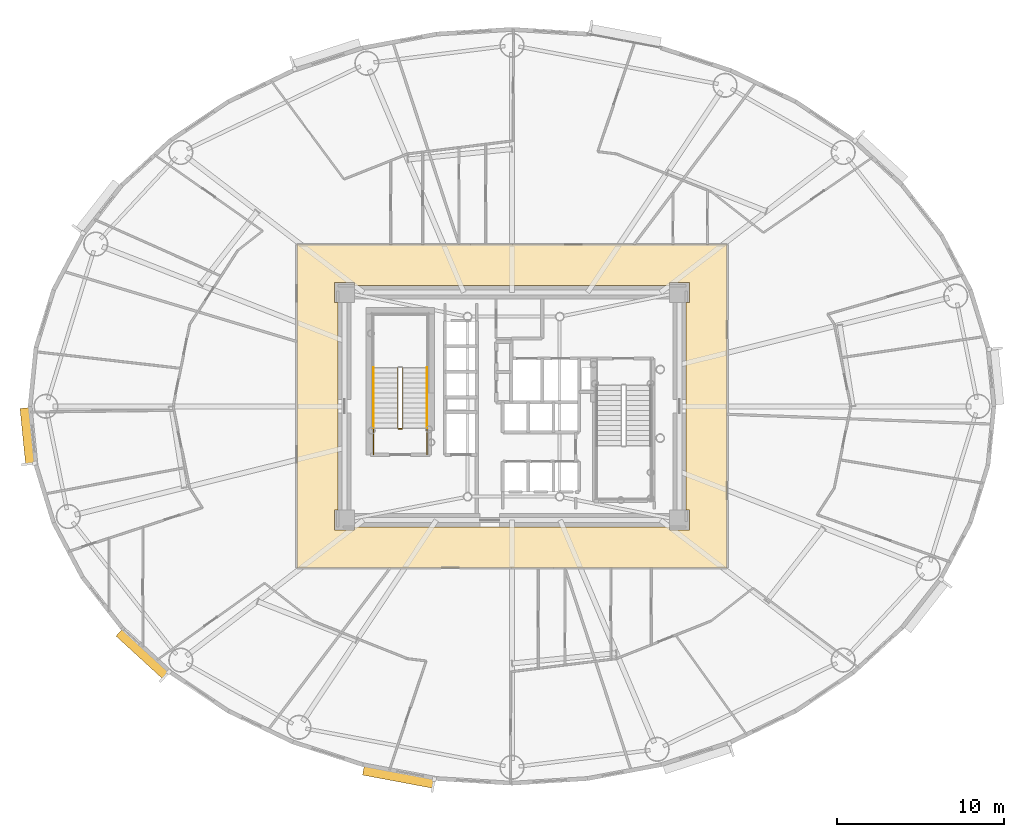
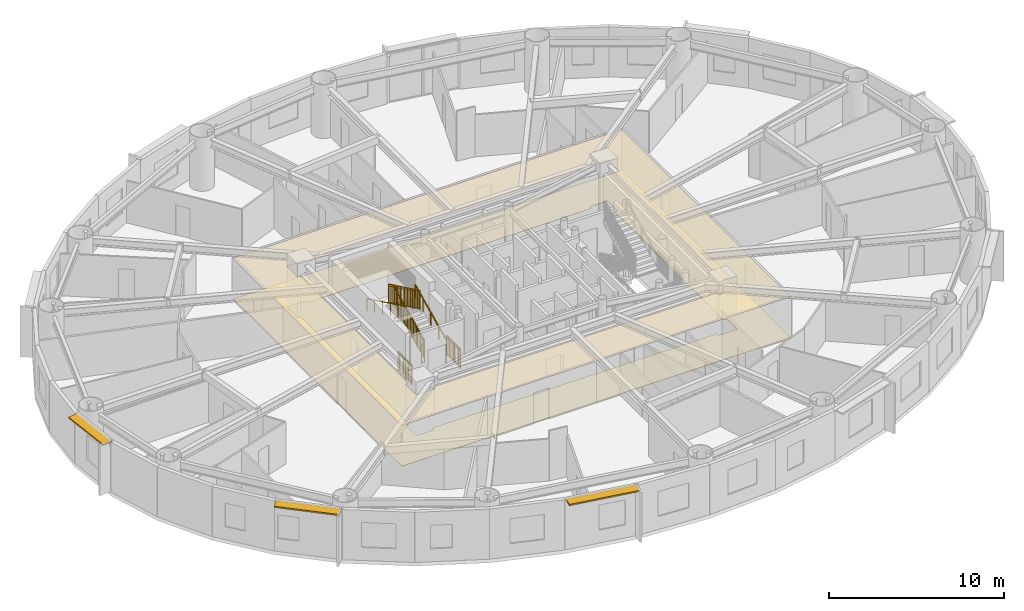
# One storey, part 15 of 19: 7 railings, 3 shading devices, 2 coverings.
"""IFC4 building model written with IfcOpenShell, lengths in metres."""

import ifcopenshell
import ifcopenshell.guid

model = None  # the IFC model being written
_history = None  # IfcOwnerHistory: only IFC2X3 demands one
_inside = {}  # id of a spatial element -> (the spatial element, [elements in it])
_under = {}  # id of a project, library or spatial element -> (it, [spatial elements below it])
_declared = {}  # id of a project -> (the project, [libraries it declares])
_typed = {}  # id of a type object -> (the type object, [elements of that type])
_made_of = {}  # id of a material, layer set ... -> (it, [elements and type objects made of it])


def new_model(schema):
    """Start an empty IFC model of exactly this schema.

    Asked for "IFC4X3", IfcOpenShell would pick the latest addendum, in which some entities
    have other attributes; the version numbers below select the first issue.
    IFC2X3 requires an IfcOwnerHistory on every rooted entity: one is made here for all.
    """
    global model, _history
    if schema == "IFC4X3":
        model = ifcopenshell.file(schema_version=(4, 3, 0, 0))
    else:
        model = ifcopenshell.file(schema=schema)
    _inside.clear()
    _under.clear()
    _declared.clear()
    _typed.clear()
    _made_of.clear()
    _history = None
    if model.schema == "IFC2X3":
        org = make("IfcOrganization", Name="unknown")
        user = make(
            "IfcPersonAndOrganization",
            ThePerson=make("IfcPerson", FamilyName="unknown"),
            TheOrganization=org,
        )
        app = make(
            "IfcApplication",
            ApplicationDeveloper=org,
            Version="unknown",
            ApplicationFullName="unknown",
            ApplicationIdentifier="unknown",
        )
        _history = make(
            "IfcOwnerHistory",
            OwningUser=user,
            OwningApplication=app,
            ChangeAction="ADDED",
            CreationDate=0,
        )
    return model


def make(cls, **values):
    """One entity of the class cls with the attributes given. An attribute that is None is left unset."""
    return model.create_entity(
        cls, **{name: value for name, value in values.items() if value is not None}
    )


def rooted(cls, **values):
    """An entity with a GlobalId (a new one), such as an element, a storey or a relation."""
    return make(cls, GlobalId=ifcopenshell.guid.new(), OwnerHistory=_history, **values)


def si_unit(unit_type, name, prefix=None):
    """IfcSIUnit, for example si_unit("LENGTHUNIT", "METRE", prefix="MILLI")."""
    return make("IfcSIUnit", UnitType=unit_type, Prefix=prefix, Name=name)


def assignment(units):
    """IfcUnitAssignment: the units of a project."""
    return None if units is None else make("IfcUnitAssignment", Units=units)


def point(xyz):
    """IfcCartesianPoint."""
    return None if xyz is None else make("IfcCartesianPoint", Coordinates=xyz)


def direction(xyz):
    """IfcDirection."""
    return None if xyz is None else make("IfcDirection", DirectionRatios=xyz)


def frame(location, z_axis=None, x_axis=None):
    """IfcAxis2Placement3D, a coordinate frame: its origin and axes. An axis left out is left unset."""
    return make(
        "IfcAxis2Placement3D",
        Location=point(location),
        Axis=direction(z_axis),
        RefDirection=direction(x_axis),
    )


def frame_2d(location, x_axis=None):
    """IfcAxis2Placement2D, a coordinate frame in the plane: its origin and x axis."""
    return make(
        "IfcAxis2Placement2D", Location=point(location), RefDirection=direction(x_axis)
    )


def origin():
    """The frame at (0, 0, 0) with its axes left unset."""
    return frame((0.0, 0.0, 0.0))


def origin_2d():
    """The frame at (0, 0) in the plane with its x axis left unset."""
    return frame_2d((0.0, 0.0))


def place(relative_to, where):
    """IfcLocalPlacement: puts the frame where relative to a parent placement (None: the world)."""
    return make(
        "IfcLocalPlacement", PlacementRelTo=relative_to, RelativePlacement=where
    )


def context(
    kind, dimensions, precision=None, world=None, true_north=None, identifier=None
):
    """IfcGeometricRepresentationContext, for example the 3D "Model" context."""
    return make(
        "IfcGeometricRepresentationContext",
        ContextIdentifier=identifier,
        ContextType=kind,
        CoordinateSpaceDimension=dimensions,
        Precision=precision,
        WorldCoordinateSystem=world,
        TrueNorth=true_north,
    )


def subcontext(parent, identifier, kind, view, scale=None):
    """IfcGeometricRepresentationSubContext, for example "Body" below "Model"."""
    return make(
        "IfcGeometricRepresentationSubContext",
        ContextIdentifier=identifier,
        ContextType=kind,
        ParentContext=parent,
        TargetScale=scale,
        TargetView=view,
    )


def project(units=None, contexts=None):
    """IfcProject with its units and contexts."""
    return rooted(
        "IfcProject",
        Name="project",
        RepresentationContexts=contexts,
        UnitsInContext=assignment(units),
    )


def spatial(cls, under=None, at=None, **own):
    """A site, building, storey or space (cls), placed at a placement, below another one or the project."""
    s = rooted(cls, ObjectPlacement=at, **own)
    if under is not None:
        _under.setdefault(under.id(), (under, []))[1].append(s)
    return s


def polyline(points):
    """IfcPolyline through the points."""
    return make("IfcPolyline", Points=[point(p) for p in points])


def profile(cls, at=None, kind="AREA", **sizes):
    """A parametric profile (cls). Its sizes go by their IFC names, for example OverallWidth=200.0."""
    return make(cls, ProfileType=kind, Position=at, **sizes)


def rectangle(**sizes):
    """IfcRectangleProfileDef."""
    return profile("IfcRectangleProfileDef", **sizes)


def outline(outer, holes=None, kind="AREA"):
    """IfcArbitraryClosedProfileDef: a profile drawn as a closed curve; with holes, ...WithVoids."""
    if holes is None:
        return make("IfcArbitraryClosedProfileDef", ProfileType=kind, OuterCurve=outer)
    return make(
        "IfcArbitraryProfileDefWithVoids",
        ProfileType=kind,
        OuterCurve=outer,
        InnerCurves=holes,
    )


def extrude(swept, where, along, depth):
    """IfcExtrudedAreaSolid: the profile swept, set in the frame where, extruded along a direction by depth."""
    return make(
        "IfcExtrudedAreaSolid",
        SweptArea=swept,
        Position=where,
        ExtrudedDirection=direction(along),
        Depth=depth,
    )


def shape(context_of_items, identifier, shape_type, items):
    """IfcShapeRepresentation: the items that make up one representation, for example the "Body"."""
    return make(
        "IfcShapeRepresentation",
        ContextOfItems=context_of_items,
        RepresentationIdentifier=identifier,
        RepresentationType=shape_type,
        Items=items,
    )


def source(mapping_origin, context_of_items, identifier, shape_type, items):
    """IfcRepresentationMap: a shape defined once, which mapped items show again and again."""
    return make(
        "IfcRepresentationMap",
        MappingOrigin=mapping_origin,
        MappedRepresentation=shape(context_of_items, identifier, shape_type, items),
    )


def transform(
    local_origin,
    x_axis=None,
    y_axis=None,
    z_axis=None,
    scale=None,
    scale2=None,
    scale3=None,
    uniform=True,
):
    """IfcCartesianTransformationOperator3D, or its non-uniform kind. x_axis, y_axis, z_axis: its Axis1, 2, 3."""
    if uniform:
        return make(
            "IfcCartesianTransformationOperator3D",
            Axis1=direction(x_axis),
            Axis2=direction(y_axis),
            LocalOrigin=point(local_origin),
            Scale=scale,
            Axis3=direction(z_axis),
        )
    return make(
        "IfcCartesianTransformationOperator3DnonUniform",
        Axis1=direction(x_axis),
        Axis2=direction(y_axis),
        LocalOrigin=point(local_origin),
        Scale=scale,
        Axis3=direction(z_axis),
        Scale2=scale2,
        Scale3=scale3,
    )


def mapped(mapping_source, mapping_target):
    """IfcMappedItem: shows the shape of a source again, moved by a transform."""
    return make(
        "IfcMappedItem", MappingSource=mapping_source, MappingTarget=mapping_target
    )


def material(Name=None, Category=None):
    """IfcMaterial."""
    return make("IfcMaterial", Name=Name, Category=Category)


def layer(
    of_material, thickness, ventilated=None, Name=None, Category=None, Priority=None
):
    """IfcMaterialLayer: one layer of a wall or slab, of a material (None: an air gap)."""
    return make(
        "IfcMaterialLayer",
        Material=of_material,
        LayerThickness=thickness,
        IsVentilated=ventilated,
        Name=Name,
        Category=Category,
        Priority=Priority,
    )


def layer_set(layers, Name=None):
    """IfcMaterialLayerSet."""
    return make("IfcMaterialLayerSet", MaterialLayers=layers, LayerSetName=Name)


def made_of(thing, what):
    """Note that an element or type object is made of a material, layer set ...; save() writes the relation."""
    if what is not None:
        _made_of.setdefault(what.id(), (what, []))[1].append(thing)
    return thing


def type_object(cls, material=None, **own):
    """A type object (cls), such as IfcWallType, which elements share."""
    return made_of(rooted(cls, **own), material)


def element(
    cls,
    number,
    at=None,
    inside=None,
    cuts=None,
    type_object=None,
    material=None,
    context=None,
    identifier="Body",
    shape_type=None,
    held_by="IfcProductDefinitionShape",
    body=None,
    shapes=None,
    **own,
):
    """One element of the class cls, such as IfcWall. Its Tag is "e" and its number.

    at: its placement. inside: the storey or other place that contains it. cuts: it is an
    opening in that element (IfcRelVoidsElement). A single representation is given by context,
    identifier, shape_type and body (its items); several are given by shapes. held_by: the class
    of the entity that holds the representations. save() writes the other relations.
    """
    e = rooted(cls, Tag="e%d" % number, ObjectPlacement=at, **own)
    if body is not None:
        shapes = [shape(context, identifier, shape_type, body)]
    if shapes is not None:
        e.Representation = make(held_by, Representations=shapes)
    if inside is not None:
        _inside.setdefault(inside.id(), (inside, []))[1].append(e)
    if cuts is not None:
        rooted(
            "IfcRelVoidsElement", RelatingBuildingElement=cuts, RelatedOpeningElement=e
        )
    if type_object is not None:
        _typed.setdefault(type_object.id(), (type_object, []))[1].append(e)
    return made_of(e, material)


def aggregate(whole, parts):
    """IfcRelAggregates: a whole, such as a stair, and the parts it consists of."""
    return rooted("IfcRelAggregates", RelatingObject=whole, RelatedObjects=parts)


def save(model, path):
    """Write the relations noted so far, then the file.

    IfcRelAggregates (storeys below a building ...), IfcRelContainedInSpatialStructure (elements
    in a storey), IfcRelDefinesByType, IfcRelAssociatesMaterial and IfcRelDeclares: one each for
    every whole, place, type object, material and project.
    """
    for whole, parts in _under.values():
        aggregate(whole, parts)
    for where, things in _inside.values():
        rooted(
            "IfcRelContainedInSpatialStructure",
            RelatedElements=things,
            RelatingStructure=where,
        )
    for kind, things in _typed.values():
        rooted("IfcRelDefinesByType", RelatedObjects=things, RelatingType=kind)
    for what, things in _made_of.values():
        rooted("IfcRelAssociatesMaterial", RelatedObjects=things, RelatingMaterial=what)
    for by, libraries in _declared.values():
        rooted("IfcRelDeclares", RelatingContext=by, RelatedDefinitions=libraries)
    model.write(path)


model = new_model("IFC4")

# Units and contexts
model_context = context("Model", 3, precision=1e-05, world=origin(), true_north=direction((0.0, 1.0)))
body_context = subcontext(model_context, "Body", "Model", "MODEL_VIEW")
ifc_project = project(units=[si_unit("LENGTHUNIT", "METRE"), si_unit("AREAUNIT", "SQUARE_METRE"), si_unit("VOLUMEUNIT", "CUBIC_METRE"), si_unit("PLANEANGLEUNIT", "RADIAN"), si_unit("MASSUNIT", "GRAM", prefix="KILO")], contexts=[model_context])

# Site, building, storey
site_placement = place(None, origin())
site = spatial("IfcSite", under=ifc_project, at=site_placement, CompositionType="ELEMENT")
building_placement = place(site_placement, origin())
building = spatial("IfcBuilding", under=site, at=building_placement, Name="Linh Dai School and Residence Tower", CompositionType="ELEMENT")
storey_placement = place(building_placement, frame((0.0, 0.0, 112.199951171875)))
storey = spatial("IfcBuildingStorey", under=building, at=storey_placement, Name="L26", CompositionType="ELEMENT", Elevation=112.199951171875)

# Coverings
ifc_material_1 = material(Name="Mineral Fibre Acoustic Suspended Ceiling", Category="masonry")
ifc_layer_1 = layer(ifc_material_1, 0.02001953125)
ifc_layer_set_1 = layer_set([ifc_layer_1], Name="Mineral Fibre Acoustic Suspended Ceiling")
covering_type_1 = type_object("IfcCoveringType", Name="COV-CEIL-AC-20", PredefinedType="CEILING", material=ifc_layer_set_1)
covering_1_placement = place(storey_placement, frame((0.0, 0.0, 2.85009765625)))
element("IfcCovering", 1, at=covering_1_placement, inside=storey, type_object=covering_type_1, Name="L26 Residential Floor Corridor Suspended Ceiling", PredefinedType="CEILING", context=body_context, shape_type="SweptSolid", body=[
    extrude(outline(polyline([(48.85009765625, 36.64990234375), (48.85009765625, 17.35009765625), (23.14990234375, 17.35009765625), (23.14990234375, 36.64990234375), (48.85009765625, 36.64990234375)]), holes=[polyline([(26.60009765625, 34.199951171875), (26.60009765625, 34.39990234375), (25.39990234375, 34.39990234375), (25.39990234375, 33.199951171875), (25.60009765625, 33.199951171875), (25.60009765625, 20.800048828125), (25.39990234375, 20.800048828125), (25.39990234375, 19.60009765625), (26.60009765625, 19.60009765625), (26.60009765625, 19.800048828125), (45.39990234375, 19.800048828125), (45.39990234375, 19.60009765625), (46.60009765625, 19.60009765625), (46.60009765625, 20.800048828125), (46.39990234375, 20.800048828125), (46.39990234375, 33.199951171875), (46.60009765625, 33.199951171875), (46.60009765625, 34.39990234375), (45.39990234375, 34.39990234375), (45.39990234375, 34.199951171875), (26.60009765625, 34.199951171875)])]), origin(), (0.0, 0.0, 1.0), 0.02001953125),
])
ifc_material_2 = material(Name="Polished Terrazzo Floor Finish", Category="masonry")
ifc_layer_2 = layer(ifc_material_2, 0.02490234375)
ifc_layer_set_2 = layer_set([ifc_layer_2], Name="Polished Terrazzo Floor Finish")
covering_type_2 = type_object("IfcCoveringType", Name="COV-FLR-TRZ-25", PredefinedType="FLOORING", material=ifc_layer_set_2)
covering_2_placement = place(storey_placement, origin())
element("IfcCovering", 2, at=covering_2_placement, inside=storey, type_object=covering_type_2, Name="L26 Residential Floor Corridor Floor Finish", PredefinedType="FLOORING", context=body_context, shape_type="SweptSolid", body=[
    extrude(outline(polyline([(48.85009765625, 36.64990234375), (48.85009765625, 17.35009765625), (23.14990234375, 17.35009765625), (23.14990234375, 36.64990234375), (48.85009765625, 36.64990234375)]), holes=[polyline([(26.60009765625, 34.199951171875), (26.60009765625, 34.39990234375), (25.39990234375, 34.39990234375), (25.39990234375, 33.199951171875), (25.60009765625, 33.199951171875), (25.60009765625, 20.800048828125), (25.39990234375, 20.800048828125), (25.39990234375, 19.60009765625), (26.60009765625, 19.60009765625), (26.60009765625, 19.800048828125), (45.39990234375, 19.800048828125), (45.39990234375, 19.60009765625), (46.60009765625, 19.60009765625), (46.60009765625, 20.800048828125), (46.39990234375, 20.800048828125), (46.39990234375, 33.199951171875), (46.60009765625, 33.199951171875), (46.60009765625, 34.39990234375), (45.39990234375, 34.39990234375), (45.39990234375, 34.199951171875), (26.60009765625, 34.199951171875)])]), origin(), (0.0, 0.0, 1.0), 0.02001953125),
])

# Shading devices
ifc_material_3 = material(Name="Terracotta Ceramic Sunshade", Category="masonry")
ifc_layer_3 = layer(ifc_material_3, 0.10009765625)
ifc_layer_set_3 = layer_set([ifc_layer_3], Name="Terracotta Ceramic Sunshade")
shading_device_type = type_object("IfcShadingDeviceType", Name="SHD-TC-650", PredefinedType="USERDEFINED", material=ifc_layer_set_3)
shared_shape_1 = source(origin(), body_context, "Body", "SweptSolid", [
    extrude(rectangle(XDim=3.3916015625, YDim=0.64990234375, at=origin_2d()), origin(), (0.0, 0.0, 1.0), 0.10009765625),
])
shading_device_1_placement = place(storey_placement, frame((7.1181640625, 25.2138671875, 3.3798828125), z_axis=(0.0, 0.0, 1.0), x_axis=(-0.100007297192, 0.994986703684, 0.0)))
element("IfcShadingDevice", 3, at=shading_device_1_placement, inside=storey, type_object=shading_device_type, Name="L26 Terracotta Horizontal Sunshade Band 21", ObjectType="SUNSHADE", PredefinedType="USERDEFINED", context=body_context, shape_type="MappedRepresentation", body=[
    mapped(shared_shape_1, transform((0.0, 0.0, 0.0), x_axis=(1.0, 0.0, 0.0), y_axis=(0.0, 1.0, 0.0), z_axis=(0.0, 0.0, 1.0), scale=1.0)),
])
shared_shape_2 = source(origin(), body_context, "Body", "SweptSolid", [
    extrude(rectangle(XDim=3.81689453125, YDim=0.64990234375, at=origin_2d()), origin(), (0.0, 0.0, 1.0), 0.10009765625),
])
shading_device_2_placement = place(storey_placement, frame((13.983642578125, 12.22998046875, 3.3798828125), z_axis=(0.0, 0.0, 1.0), x_axis=(-0.737100266172, 0.675783395482, 0.0)))
element("IfcShadingDevice", 4, at=shading_device_2_placement, inside=storey, type_object=shading_device_type, Name="L26 Terracotta Horizontal Sunshade Band 25", ObjectType="SUNSHADE", PredefinedType="USERDEFINED", context=body_context, shape_type="MappedRepresentation", body=[
    mapped(shared_shape_2, transform((0.0, 0.0, 0.0), x_axis=(1.0, 0.0, 0.0), y_axis=(0.0, 1.0, 0.0), z_axis=(0.0, 0.0, 1.0), scale=1.0)),
])
shared_shape_3 = source(origin(), body_context, "Body", "SweptSolid", [
    extrude(rectangle(XDim=4.292236328125, YDim=0.64990234375, at=origin_2d()), origin(), (0.0, 0.0, 1.0), 0.10009765625),
])
shading_device_3_placement = place(storey_placement, frame((29.24462890625, 4.905517578125, 3.3798828125), z_axis=(0.0, 0.0, 1.0), x_axis=(-0.982784673718, 0.18475466193, 0.0)))
element("IfcShadingDevice", 5, at=shading_device_3_placement, inside=storey, type_object=shading_device_type, Name="L26 Terracotta Horizontal Sunshade Band 29", ObjectType="SUNSHADE", PredefinedType="USERDEFINED", context=body_context, shape_type="MappedRepresentation", body=[
    mapped(shared_shape_3, transform((0.0, 0.0, 0.0), x_axis=(1.0, 0.0, 0.0), y_axis=(0.0, 1.0, 0.0), z_axis=(0.0, 0.0, 1.0), scale=1.0)),
])

# Railings
ifc_material_4 = material(Name="Structural Steel S355JR", Category="steel")
railing_type_1 = type_object("IfcRailingType", Name="RL-ST-GUARD-1400", PredefinedType="GUARDRAIL", material=ifc_material_4)
shared_shape_4 = source(origin(), body_context, "Body", "SweptSolid", [
    extrude(rectangle(XDim=0.048095703125, YDim=0.048095703125, at=origin_2d()), frame((0.0, 0.0, 1.3759765625), z_axis=(-1.0, 0.0, 0.0), x_axis=(0.0, -1.0, 0.0)), (0.0, 0.0, 1.0), 0.199951171875),
    extrude(rectangle(XDim=0.048095703125, YDim=0.048095703125, at=origin_2d()), frame((0.0, 0.0, 0.10009765625), z_axis=(-1.0, 0.0, 0.0), x_axis=(0.0, -1.0, 0.0)), (0.0, 0.0, 1.0), 0.199951171875),
    extrude(rectangle(XDim=0.030029296875, YDim=0.030029296875, at=origin_2d()), frame((0.0, 0.0, 1.239990234375), z_axis=(-1.0, 0.0, 0.0), x_axis=(0.0, -1.0, 0.0)), (0.0, 0.0, 1.0), 0.199951171875),
    extrude(rectangle(XDim=0.0419921875, YDim=0.0419921875, at=origin_2d()), origin(), (0.0, 0.0, 1.0), 1.3759765625),
    extrude(rectangle(XDim=0.0419921875, YDim=0.0419921875, at=origin_2d()), frame((-0.199951171875, 0.0, 0.0)), (0.0, 0.0, 1.0), 1.3759765625),
])
railing_1_placement = place(storey_placement, frame((29.429931640625, 25.64990234375, 0.0)))
element("IfcRailing", 6, at=railing_1_placement, inside=storey, type_object=railing_type_1, Name="L26 ST1 stair guard 7", PredefinedType="GUARDRAIL", context=body_context, shape_type="MappedRepresentation", body=[
    mapped(shared_shape_4, transform((0.0, 0.0, 0.0), x_axis=(1.0, 0.0, 0.0), y_axis=(0.0, 1.0, 0.0), z_axis=(0.0, 0.0, 1.0), scale=1.0)),
])
shared_shape_5 = source(origin(), body_context, "Body", "SweptSolid", [
    extrude(rectangle(XDim=0.048095703125, YDim=0.048095703125, at=origin_2d()), frame((0.0, 0.0, 1.3759765625), z_axis=(0.0, 1.0, 0.0), x_axis=(-1.0, 0.0, 0.0)), (0.0, 0.0, 1.0), 1.599853515625),
    extrude(rectangle(XDim=0.048095703125, YDim=0.048095703125, at=origin_2d()), frame((0.0, 0.0, 0.10009765625), z_axis=(0.0, 1.0, 0.0), x_axis=(-1.0, 0.0, 0.0)), (0.0, 0.0, 1.0), 1.599853515625),
    extrude(rectangle(XDim=0.030029296875, YDim=0.030029296875, at=origin_2d()), frame((0.0, 0.0, 1.239990234375), z_axis=(0.0, 1.0, 0.0), x_axis=(-1.0, 0.0, 0.0)), (0.0, 0.0, 1.0), 1.599853515625),
    extrude(rectangle(XDim=0.02001953125, YDim=0.02001953125, at=origin_2d()), frame((0.0, 0.093994140625, 0.10009765625)), (0.0, 0.0, 1.0), 1.251708984375),
    extrude(rectangle(XDim=0.02001953125, YDim=0.02001953125, at=origin_2d()), frame((0.0, 0.188232421875, 0.10009765625)), (0.0, 0.0, 1.0), 1.251708984375),
    extrude(rectangle(XDim=0.02001953125, YDim=0.02001953125, at=origin_2d()), frame((0.0, 0.2822265625, 0.10009765625)), (0.0, 0.0, 1.0), 1.251708984375),
    extrude(rectangle(XDim=0.02001953125, YDim=0.02001953125, at=origin_2d()), frame((0.0, 0.37646484375, 0.10009765625)), (0.0, 0.0, 1.0), 1.251708984375),
    extrude(rectangle(XDim=0.02001953125, YDim=0.02001953125, at=origin_2d()), frame((0.0, 0.470458984375, 0.10009765625)), (0.0, 0.0, 1.0), 1.251708984375),
    extrude(rectangle(XDim=0.02001953125, YDim=0.02001953125, at=origin_2d()), frame((0.0, 0.564697265625, 0.10009765625)), (0.0, 0.0, 1.0), 1.251708984375),
    extrude(rectangle(XDim=0.02001953125, YDim=0.02001953125, at=origin_2d()), frame((0.0, 0.65869140625, 0.10009765625)), (0.0, 0.0, 1.0), 1.251708984375),
    extrude(rectangle(XDim=0.02001953125, YDim=0.02001953125, at=origin_2d()), frame((0.0, 0.7529296875, 0.10009765625)), (0.0, 0.0, 1.0), 1.251708984375),
    extrude(rectangle(XDim=0.02001953125, YDim=0.02001953125, at=origin_2d()), frame((0.0, 0.846923828125, 0.10009765625)), (0.0, 0.0, 1.0), 1.251708984375),
    extrude(rectangle(XDim=0.02001953125, YDim=0.02001953125, at=origin_2d()), frame((0.0, 0.941162109375, 0.10009765625)), (0.0, 0.0, 1.0), 1.251708984375),
    extrude(rectangle(XDim=0.02001953125, YDim=0.02001953125, at=origin_2d()), frame((0.0, 1.03515625, 0.10009765625)), (0.0, 0.0, 1.0), 1.251708984375),
    extrude(rectangle(XDim=0.02001953125, YDim=0.02001953125, at=origin_2d()), frame((0.0, 1.12939453125, 0.10009765625)), (0.0, 0.0, 1.0), 1.251708984375),
    extrude(rectangle(XDim=0.02001953125, YDim=0.02001953125, at=origin_2d()), frame((0.0, 1.223388671875, 0.10009765625)), (0.0, 0.0, 1.0), 1.251708984375),
    extrude(rectangle(XDim=0.02001953125, YDim=0.02001953125, at=origin_2d()), frame((0.0, 1.317626953125, 0.10009765625)), (0.0, 0.0, 1.0), 1.251708984375),
    extrude(rectangle(XDim=0.02001953125, YDim=0.02001953125, at=origin_2d()), frame((0.0, 1.41162109375, 0.10009765625)), (0.0, 0.0, 1.0), 1.251708984375),
    extrude(rectangle(XDim=0.02001953125, YDim=0.02001953125, at=origin_2d()), frame((0.0, 1.505859375, 0.10009765625)), (0.0, 0.0, 1.0), 1.251708984375),
    extrude(rectangle(XDim=0.0419921875, YDim=0.0419921875, at=origin_2d()), origin(), (0.0, 0.0, 1.0), 1.3759765625),
    extrude(rectangle(XDim=0.0419921875, YDim=0.0419921875, at=origin_2d()), frame((0.0, 0.7998046875, 0.0)), (0.0, 0.0, 1.0), 1.3759765625),
    extrude(rectangle(XDim=0.0419921875, YDim=0.0419921875, at=origin_2d()), frame((0.0, 1.599853515625, 0.0)), (0.0, 0.0, 1.0), 1.3759765625),
])
for number, where, name in (
    (7, (30.929931640625, 24.10009765625, 0.0), "L26 ST1 stair guard 8"),
    (8, (27.72998046875, 24.10009765625, 0.0), "L26 ST1 stair guard 9"),
):
    element("IfcRailing", number, at=place(storey_placement, frame(where)), inside=storey, type_object=railing_type_1, Name=name, PredefinedType="GUARDRAIL", context=body_context, shape_type="MappedRepresentation", body=[
        mapped(shared_shape_5, transform((0.0, 0.0, 0.0), x_axis=(1.0, 0.0, 0.0), y_axis=(0.0, 1.0, 0.0), z_axis=(0.0, 0.0, 1.0), scale=1.0)),
    ])
shared_shape_6 = source(origin(), body_context, "Body", "SweptSolid", [
    extrude(rectangle(XDim=0.048095703125, YDim=0.048095703125, at=origin_2d()), frame((0.0, 0.0, 1.3759765625), z_axis=(0.0, 0.901262522062, 0.433273431364), x_axis=(-1.0, 0.0, 0.0)), (0.0, 0.0, 1.0), 3.994384765625),
    extrude(rectangle(XDim=0.048095703125, YDim=0.048095703125, at=origin_2d()), frame((0.0, 0.0, 0.10009765625), z_axis=(0.0, 0.901262522062, 0.433273431364), x_axis=(-1.0, 0.0, 0.0)), (0.0, 0.0, 1.0), 3.994384765625),
    extrude(rectangle(XDim=0.030029296875, YDim=0.030029296875, at=origin_2d()), frame((0.0, 0.0, 1.239990234375), z_axis=(0.0, 0.901262522062, 0.433273431364), x_axis=(-1.0, 0.0, 0.0)), (0.0, 0.0, 1.0), 3.994384765625),
    extrude(rectangle(XDim=0.02001953125, YDim=0.02001953125, at=origin_2d()), frame((0.0, 0.087890625, 0.142333984375)), (0.0, 0.0, 1.0), 1.251708984375),
    extrude(rectangle(XDim=0.02001953125, YDim=0.02001953125, at=origin_2d()), frame((0.0, 0.175537109375, 0.1845703125)), (0.0, 0.0, 1.0), 1.251708984375),
    extrude(rectangle(XDim=0.02001953125, YDim=0.02001953125, at=origin_2d()), frame((0.0, 0.263427734375, 0.226806640625)), (0.0, 0.0, 1.0), 1.251708984375),
    extrude(rectangle(XDim=0.02001953125, YDim=0.02001953125, at=origin_2d()), frame((0.0, 0.351318359375, 0.26904296875)), (0.0, 0.0, 1.0), 1.251708984375),
    extrude(rectangle(XDim=0.02001953125, YDim=0.02001953125, at=origin_2d()), frame((0.0, 0.43896484375, 0.311279296875)), (0.0, 0.0, 1.0), 1.251708984375),
    extrude(rectangle(XDim=0.02001953125, YDim=0.02001953125, at=origin_2d()), frame((0.0, 0.52685546875, 0.353271484375)), (0.0, 0.0, 1.0), 1.251708984375),
    extrude(rectangle(XDim=0.02001953125, YDim=0.02001953125, at=origin_2d()), frame((0.0, 0.61474609375, 0.3955078125)), (0.0, 0.0, 1.0), 1.251708984375),
    extrude(rectangle(XDim=0.02001953125, YDim=0.02001953125, at=origin_2d()), frame((0.0, 0.702392578125, 0.437744140625)), (0.0, 0.0, 1.0), 1.251708984375),
    extrude(rectangle(XDim=0.02001953125, YDim=0.02001953125, at=origin_2d()), frame((0.0, 0.790283203125, 0.47998046875)), (0.0, 0.0, 1.0), 1.251708984375),
    extrude(rectangle(XDim=0.02001953125, YDim=0.02001953125, at=origin_2d()), frame((0.0, 0.9658203125, 0.564453125)), (0.0, 0.0, 1.0), 1.251708984375),
    extrude(rectangle(XDim=0.02001953125, YDim=0.02001953125, at=origin_2d()), frame((0.0, 1.0537109375, 0.606689453125)), (0.0, 0.0, 1.0), 1.251708984375),
    extrude(rectangle(XDim=0.02001953125, YDim=0.02001953125, at=origin_2d()), frame((0.0, 1.1416015625, 0.64892578125)), (0.0, 0.0, 1.0), 1.251708984375),
    extrude(rectangle(XDim=0.02001953125, YDim=0.02001953125, at=origin_2d()), frame((0.0, 1.229248046875, 0.691162109375)), (0.0, 0.0, 1.0), 1.251708984375),
    extrude(rectangle(XDim=0.02001953125, YDim=0.02001953125, at=origin_2d()), frame((0.0, 1.317138671875, 0.7333984375)), (0.0, 0.0, 1.0), 1.251708984375),
    extrude(rectangle(XDim=0.02001953125, YDim=0.02001953125, at=origin_2d()), frame((0.0, 1.405029296875, 0.775390625)), (0.0, 0.0, 1.0), 1.251708984375),
    extrude(rectangle(XDim=0.02001953125, YDim=0.02001953125, at=origin_2d()), frame((0.0, 1.49267578125, 0.817626953125)), (0.0, 0.0, 1.0), 1.251708984375),
    extrude(rectangle(XDim=0.02001953125, YDim=0.02001953125, at=origin_2d()), frame((0.0, 1.58056640625, 0.85986328125)), (0.0, 0.0, 1.0), 1.251708984375),
    extrude(rectangle(XDim=0.02001953125, YDim=0.02001953125, at=origin_2d()), frame((0.0, 1.66845703125, 0.902099609375)), (0.0, 0.0, 1.0), 1.251708984375),
    extrude(rectangle(XDim=0.02001953125, YDim=0.02001953125, at=origin_2d()), frame((0.0, 1.756103515625, 0.9443359375)), (0.0, 0.0, 1.0), 1.251708984375),
    extrude(rectangle(XDim=0.02001953125, YDim=0.02001953125, at=origin_2d()), frame((0.0, 1.843994140625, 0.986572265625)), (0.0, 0.0, 1.0), 1.251708984375),
    extrude(rectangle(XDim=0.02001953125, YDim=0.02001953125, at=origin_2d()), frame((0.0, 1.931640625, 1.02880859375)), (0.0, 0.0, 1.0), 1.251708984375),
    extrude(rectangle(XDim=0.02001953125, YDim=0.02001953125, at=origin_2d()), frame((0.0, 2.01953125, 1.071044921875)), (0.0, 0.0, 1.0), 1.251708984375),
    extrude(rectangle(XDim=0.02001953125, YDim=0.02001953125, at=origin_2d()), frame((0.0, 2.107421875, 1.11328125)), (0.0, 0.0, 1.0), 1.251708984375),
    extrude(rectangle(XDim=0.02001953125, YDim=0.02001953125, at=origin_2d()), frame((0.0, 2.195068359375, 1.155517578125)), (0.0, 0.0, 1.0), 1.251708984375),
    extrude(rectangle(XDim=0.02001953125, YDim=0.02001953125, at=origin_2d()), frame((0.0, 2.282958984375, 1.197509765625)), (0.0, 0.0, 1.0), 1.251708984375),
    extrude(rectangle(XDim=0.02001953125, YDim=0.02001953125, at=origin_2d()), frame((0.0, 2.370849609375, 1.23974609375)), (0.0, 0.0, 1.0), 1.251708984375),
    extrude(rectangle(XDim=0.02001953125, YDim=0.02001953125, at=origin_2d()), frame((0.0, 2.45849609375, 1.281982421875)), (0.0, 0.0, 1.0), 1.251708984375),
    extrude(rectangle(XDim=0.02001953125, YDim=0.02001953125, at=origin_2d()), frame((0.0, 2.54638671875, 1.32421875)), (0.0, 0.0, 1.0), 1.251708984375),
    extrude(rectangle(XDim=0.02001953125, YDim=0.02001953125, at=origin_2d()), frame((0.0, 2.63427734375, 1.366455078125)), (0.0, 0.0, 1.0), 1.251708984375),
    extrude(rectangle(XDim=0.02001953125, YDim=0.02001953125, at=origin_2d()), frame((0.0, 2.809814453125, 1.450927734375)), (0.0, 0.0, 1.0), 1.251708984375),
    extrude(rectangle(XDim=0.02001953125, YDim=0.02001953125, at=origin_2d()), frame((0.0, 2.897705078125, 1.4931640625)), (0.0, 0.0, 1.0), 1.251708984375),
    extrude(rectangle(XDim=0.02001953125, YDim=0.02001953125, at=origin_2d()), frame((0.0, 2.9853515625, 1.535400390625)), (0.0, 0.0, 1.0), 1.251708984375),
    extrude(rectangle(XDim=0.02001953125, YDim=0.02001953125, at=origin_2d()), frame((0.0, 3.0732421875, 1.57763671875)), (0.0, 0.0, 1.0), 1.251708984375),
    extrude(rectangle(XDim=0.02001953125, YDim=0.02001953125, at=origin_2d()), frame((0.0, 3.1611328125, 1.61962890625)), (0.0, 0.0, 1.0), 1.251708984375),
    extrude(rectangle(XDim=0.02001953125, YDim=0.02001953125, at=origin_2d()), frame((0.0, 3.248779296875, 1.661865234375)), (0.0, 0.0, 1.0), 1.251708984375),
    extrude(rectangle(XDim=0.02001953125, YDim=0.02001953125, at=origin_2d()), frame((0.0, 3.336669921875, 1.7041015625)), (0.0, 0.0, 1.0), 1.251708984375),
    extrude(rectangle(XDim=0.02001953125, YDim=0.02001953125, at=origin_2d()), frame((0.0, 3.424560546875, 1.746337890625)), (0.0, 0.0, 1.0), 1.251708984375),
    extrude(rectangle(XDim=0.02001953125, YDim=0.02001953125, at=origin_2d()), frame((0.0, 3.51220703125, 1.78857421875)), (0.0, 0.0, 1.0), 1.251708984375),
    extrude(rectangle(XDim=0.0419921875, YDim=0.0419921875, at=origin_2d()), origin(), (0.0, 0.0, 1.0), 1.3759765625),
    extrude(rectangle(XDim=0.0419921875, YDim=0.0419921875, at=origin_2d()), frame((0.0, 0.89990234375, 0.4326171875)), (0.0, 0.0, 1.0), 1.3759765625),
    extrude(rectangle(XDim=0.0419921875, YDim=0.0419921875, at=origin_2d()), frame((0.0, 1.800048828125, 0.865234375)), (0.0, 0.0, 1.0), 1.3759765625),
    extrude(rectangle(XDim=0.0419921875, YDim=0.0419921875, at=origin_2d()), frame((0.0, 2.7001953125, 1.298095703125)), (0.0, 0.0, 1.0), 1.3759765625),
    extrude(rectangle(XDim=0.0419921875, YDim=0.0419921875, at=origin_2d()), frame((0.0, 3.60009765625, 1.730712890625)), (0.0, 0.0, 1.0), 1.3759765625),
])
railing_2_placement = place(storey_placement, frame((29.47998046875, 25.699951171875, 0.144287109375)))
element("IfcRailing", 9, at=railing_2_placement, inside=storey, type_object=railing_type_1, Name="L26 ST1 stair guard 1", PredefinedType="GUARDRAIL", context=body_context, shape_type="MappedRepresentation", body=[
    mapped(shared_shape_6, transform((0.0, 0.0, 0.0), x_axis=(1.0, 0.0, 0.0), y_axis=(0.0, 1.0, 0.0), z_axis=(0.0, 0.0, 1.0), scale=1.0)),
])
shared_shape_7 = source(origin(), body_context, "Body", "SweptSolid", [
    extrude(rectangle(XDim=0.048095703125, YDim=0.048095703125, at=origin_2d()), frame((0.0, 0.0, 1.3759765625), z_axis=(0.0, -0.901262522062, 0.433273431364), x_axis=(1.0, 0.0, 0.0)), (0.0, 0.0, 1.0), 3.994384765625),
    extrude(rectangle(XDim=0.048095703125, YDim=0.048095703125, at=origin_2d()), frame((0.0, 0.0, 0.10009765625), z_axis=(0.0, -0.901262522062, 0.433273431364), x_axis=(1.0, 0.0, 0.0)), (0.0, 0.0, 1.0), 3.994384765625),
    extrude(rectangle(XDim=0.030029296875, YDim=0.030029296875, at=origin_2d()), frame((0.0, 0.0, 1.239990234375), z_axis=(0.0, -0.901262522062, 0.433273431364), x_axis=(1.0, 0.0, 0.0)), (0.0, 0.0, 1.0), 3.994384765625),
    extrude(rectangle(XDim=0.02001953125, YDim=0.02001953125, at=origin_2d()), frame((0.0, -0.087890625, 0.142333984375)), (0.0, 0.0, 1.0), 1.251708984375),
    extrude(rectangle(XDim=0.02001953125, YDim=0.02001953125, at=origin_2d()), frame((0.0, -0.175537109375, 0.1845703125)), (0.0, 0.0, 1.0), 1.251708984375),
    extrude(rectangle(XDim=0.02001953125, YDim=0.02001953125, at=origin_2d()), frame((0.0, -0.263427734375, 0.226806640625)), (0.0, 0.0, 1.0), 1.251708984375),
    extrude(rectangle(XDim=0.02001953125, YDim=0.02001953125, at=origin_2d()), frame((0.0, -0.351318359375, 0.26904296875)), (0.0, 0.0, 1.0), 1.251708984375),
    extrude(rectangle(XDim=0.02001953125, YDim=0.02001953125, at=origin_2d()), frame((0.0, -0.43896484375, 0.311279296875)), (0.0, 0.0, 1.0), 1.251708984375),
    extrude(rectangle(XDim=0.02001953125, YDim=0.02001953125, at=origin_2d()), frame((0.0, -0.52685546875, 0.353271484375)), (0.0, 0.0, 1.0), 1.251708984375),
    extrude(rectangle(XDim=0.02001953125, YDim=0.02001953125, at=origin_2d()), frame((0.0, -0.61474609375, 0.3955078125)), (0.0, 0.0, 1.0), 1.251708984375),
    extrude(rectangle(XDim=0.02001953125, YDim=0.02001953125, at=origin_2d()), frame((0.0, -0.702392578125, 0.437744140625)), (0.0, 0.0, 1.0), 1.251708984375),
    extrude(rectangle(XDim=0.02001953125, YDim=0.02001953125, at=origin_2d()), frame((0.0, -0.790283203125, 0.47998046875)), (0.0, 0.0, 1.0), 1.251708984375),
    extrude(rectangle(XDim=0.02001953125, YDim=0.02001953125, at=origin_2d()), frame((0.0, -0.9658203125, 0.564453125)), (0.0, 0.0, 1.0), 1.251708984375),
    extrude(rectangle(XDim=0.02001953125, YDim=0.02001953125, at=origin_2d()), frame((0.0, -1.0537109375, 0.606689453125)), (0.0, 0.0, 1.0), 1.251708984375),
    extrude(rectangle(XDim=0.02001953125, YDim=0.02001953125, at=origin_2d()), frame((0.0, -1.1416015625, 0.64892578125)), (0.0, 0.0, 1.0), 1.251708984375),
    extrude(rectangle(XDim=0.02001953125, YDim=0.02001953125, at=origin_2d()), frame((0.0, -1.229248046875, 0.691162109375)), (0.0, 0.0, 1.0), 1.251708984375),
    extrude(rectangle(XDim=0.02001953125, YDim=0.02001953125, at=origin_2d()), frame((0.0, -1.317138671875, 0.7333984375)), (0.0, 0.0, 1.0), 1.251708984375),
    extrude(rectangle(XDim=0.02001953125, YDim=0.02001953125, at=origin_2d()), frame((0.0, -1.405029296875, 0.775390625)), (0.0, 0.0, 1.0), 1.251708984375),
    extrude(rectangle(XDim=0.02001953125, YDim=0.02001953125, at=origin_2d()), frame((0.0, -1.49267578125, 0.817626953125)), (0.0, 0.0, 1.0), 1.251708984375),
    extrude(rectangle(XDim=0.02001953125, YDim=0.02001953125, at=origin_2d()), frame((0.0, -1.58056640625, 0.85986328125)), (0.0, 0.0, 1.0), 1.251708984375),
    extrude(rectangle(XDim=0.02001953125, YDim=0.02001953125, at=origin_2d()), frame((0.0, -1.66845703125, 0.902099609375)), (0.0, 0.0, 1.0), 1.251708984375),
    extrude(rectangle(XDim=0.02001953125, YDim=0.02001953125, at=origin_2d()), frame((0.0, -1.756103515625, 0.9443359375)), (0.0, 0.0, 1.0), 1.251708984375),
    extrude(rectangle(XDim=0.02001953125, YDim=0.02001953125, at=origin_2d()), frame((0.0, -1.843994140625, 0.986572265625)), (0.0, 0.0, 1.0), 1.251708984375),
    extrude(rectangle(XDim=0.02001953125, YDim=0.02001953125, at=origin_2d()), frame((0.0, -1.931640625, 1.02880859375)), (0.0, 0.0, 1.0), 1.251708984375),
    extrude(rectangle(XDim=0.02001953125, YDim=0.02001953125, at=origin_2d()), frame((0.0, -2.01953125, 1.071044921875)), (0.0, 0.0, 1.0), 1.251708984375),
    extrude(rectangle(XDim=0.02001953125, YDim=0.02001953125, at=origin_2d()), frame((0.0, -2.107421875, 1.11328125)), (0.0, 0.0, 1.0), 1.251708984375),
    extrude(rectangle(XDim=0.02001953125, YDim=0.02001953125, at=origin_2d()), frame((0.0, -2.195068359375, 1.155517578125)), (0.0, 0.0, 1.0), 1.251708984375),
    extrude(rectangle(XDim=0.02001953125, YDim=0.02001953125, at=origin_2d()), frame((0.0, -2.282958984375, 1.197509765625)), (0.0, 0.0, 1.0), 1.251708984375),
    extrude(rectangle(XDim=0.02001953125, YDim=0.02001953125, at=origin_2d()), frame((0.0, -2.370849609375, 1.23974609375)), (0.0, 0.0, 1.0), 1.251708984375),
    extrude(rectangle(XDim=0.02001953125, YDim=0.02001953125, at=origin_2d()), frame((0.0, -2.45849609375, 1.281982421875)), (0.0, 0.0, 1.0), 1.251708984375),
    extrude(rectangle(XDim=0.02001953125, YDim=0.02001953125, at=origin_2d()), frame((0.0, -2.54638671875, 1.32421875)), (0.0, 0.0, 1.0), 1.251708984375),
    extrude(rectangle(XDim=0.02001953125, YDim=0.02001953125, at=origin_2d()), frame((0.0, -2.63427734375, 1.366455078125)), (0.0, 0.0, 1.0), 1.251708984375),
    extrude(rectangle(XDim=0.02001953125, YDim=0.02001953125, at=origin_2d()), frame((0.0, -2.809814453125, 1.450927734375)), (0.0, 0.0, 1.0), 1.251708984375),
    extrude(rectangle(XDim=0.02001953125, YDim=0.02001953125, at=origin_2d()), frame((0.0, -2.897705078125, 1.4931640625)), (0.0, 0.0, 1.0), 1.251708984375),
    extrude(rectangle(XDim=0.02001953125, YDim=0.02001953125, at=origin_2d()), frame((0.0, -2.9853515625, 1.535400390625)), (0.0, 0.0, 1.0), 1.251708984375),
    extrude(rectangle(XDim=0.02001953125, YDim=0.02001953125, at=origin_2d()), frame((0.0, -3.0732421875, 1.57763671875)), (0.0, 0.0, 1.0), 1.251708984375),
    extrude(rectangle(XDim=0.02001953125, YDim=0.02001953125, at=origin_2d()), frame((0.0, -3.1611328125, 1.61962890625)), (0.0, 0.0, 1.0), 1.251708984375),
    extrude(rectangle(XDim=0.02001953125, YDim=0.02001953125, at=origin_2d()), frame((0.0, -3.248779296875, 1.661865234375)), (0.0, 0.0, 1.0), 1.251708984375),
    extrude(rectangle(XDim=0.02001953125, YDim=0.02001953125, at=origin_2d()), frame((0.0, -3.336669921875, 1.7041015625)), (0.0, 0.0, 1.0), 1.251708984375),
    extrude(rectangle(XDim=0.02001953125, YDim=0.02001953125, at=origin_2d()), frame((0.0, -3.424560546875, 1.746337890625)), (0.0, 0.0, 1.0), 1.251708984375),
    extrude(rectangle(XDim=0.02001953125, YDim=0.02001953125, at=origin_2d()), frame((0.0, -3.51220703125, 1.78857421875)), (0.0, 0.0, 1.0), 1.251708984375),
    extrude(rectangle(XDim=0.0419921875, YDim=0.0419921875, at=origin_2d()), origin(), (0.0, 0.0, 1.0), 1.3759765625),
    extrude(rectangle(XDim=0.0419921875, YDim=0.0419921875, at=origin_2d()), frame((0.0, -0.89990234375, 0.4326171875)), (0.0, 0.0, 1.0), 1.3759765625),
    extrude(rectangle(XDim=0.0419921875, YDim=0.0419921875, at=origin_2d()), frame((0.0, -1.800048828125, 0.865234375)), (0.0, 0.0, 1.0), 1.3759765625),
    extrude(rectangle(XDim=0.0419921875, YDim=0.0419921875, at=origin_2d()), frame((0.0, -2.7001953125, 1.298095703125)), (0.0, 0.0, 1.0), 1.3759765625),
    extrude(rectangle(XDim=0.0419921875, YDim=0.0419921875, at=origin_2d()), frame((0.0, -3.60009765625, 1.730712890625)), (0.0, 0.0, 1.0), 1.3759765625),
])
railing_3_placement = place(storey_placement, frame((29.179931640625, 29.300048828125, 2.019287109375)))
element("IfcRailing", 10, at=railing_3_placement, inside=storey, type_object=railing_type_1, Name="L26 ST1 stair guard 6", PredefinedType="GUARDRAIL", context=body_context, shape_type="MappedRepresentation", body=[
    mapped(shared_shape_7, transform((0.0, 0.0, 0.0), x_axis=(1.0, 0.0, 0.0), y_axis=(0.0, 1.0, 0.0), z_axis=(0.0, 0.0, 1.0), scale=1.0)),
])
ifc_material_5 = material(Name="Brushed Stainless Steel Handrail", Category="steel")
railing_type_2 = type_object("IfcRailingType", Name="RL-ST-HANDRAIL-900", PredefinedType="HANDRAIL", material=ifc_material_5)
shared_shape_8 = source(origin(), body_context, "Body", "SweptSolid", [
    extrude(rectangle(XDim=0.048095703125, YDim=0.048095703125, at=origin_2d()), frame((0.0, 0.0, 0.8759765625), z_axis=(0.0, 0.901262522062, 0.433273431364), x_axis=(-1.0, 0.0, 0.0)), (0.0, 0.0, 1.0), 3.994384765625),
    extrude(rectangle(XDim=0.0419921875, YDim=0.0419921875, at=origin_2d()), origin(), (0.0, 0.0, 1.0), 0.8759765625),
    extrude(rectangle(XDim=0.0419921875, YDim=0.0419921875, at=origin_2d()), frame((0.0, 0.89990234375, 0.4326171875)), (0.0, 0.0, 1.0), 0.8759765625),
    extrude(rectangle(XDim=0.0419921875, YDim=0.0419921875, at=origin_2d()), frame((0.0, 1.800048828125, 0.865234375)), (0.0, 0.0, 1.0), 0.8759765625),
    extrude(rectangle(XDim=0.0419921875, YDim=0.0419921875, at=origin_2d()), frame((0.0, 2.7001953125, 1.298095703125)), (0.0, 0.0, 1.0), 0.8759765625),
    extrude(rectangle(XDim=0.0419921875, YDim=0.0419921875, at=origin_2d()), frame((0.0, 3.60009765625, 1.730712890625)), (0.0, 0.0, 1.0), 0.8759765625),
])
railing_4_placement = place(storey_placement, frame((30.929931640625, 25.699951171875, 0.144287109375)))
element("IfcRailing", 11, at=railing_4_placement, inside=storey, type_object=railing_type_2, Name="L26 ST1 stair handrail 1", PredefinedType="HANDRAIL", context=body_context, shape_type="MappedRepresentation", body=[
    mapped(shared_shape_8, transform((0.0, 0.0, 0.0), x_axis=(1.0, 0.0, 0.0), y_axis=(0.0, 1.0, 0.0), z_axis=(0.0, 0.0, 1.0), scale=1.0)),
])
shared_shape_9 = source(origin(), body_context, "Body", "SweptSolid", [
    extrude(rectangle(XDim=0.048095703125, YDim=0.048095703125, at=origin_2d()), frame((0.0, 0.0, 0.8759765625), z_axis=(0.0, -0.901262522062, 0.433273431364), x_axis=(1.0, 0.0, 0.0)), (0.0, 0.0, 1.0), 3.994384765625),
    extrude(rectangle(XDim=0.0419921875, YDim=0.0419921875, at=origin_2d()), origin(), (0.0, 0.0, 1.0), 0.8759765625),
    extrude(rectangle(XDim=0.0419921875, YDim=0.0419921875, at=origin_2d()), frame((0.0, -0.89990234375, 0.4326171875)), (0.0, 0.0, 1.0), 0.8759765625),
    extrude(rectangle(XDim=0.0419921875, YDim=0.0419921875, at=origin_2d()), frame((0.0, -1.800048828125, 0.865234375)), (0.0, 0.0, 1.0), 0.8759765625),
    extrude(rectangle(XDim=0.0419921875, YDim=0.0419921875, at=origin_2d()), frame((0.0, -2.7001953125, 1.298095703125)), (0.0, 0.0, 1.0), 0.8759765625),
    extrude(rectangle(XDim=0.0419921875, YDim=0.0419921875, at=origin_2d()), frame((0.0, -3.60009765625, 1.730712890625)), (0.0, 0.0, 1.0), 0.8759765625),
])
railing_5_placement = place(storey_placement, frame((27.72998046875, 29.300048828125, 2.019287109375)))
element("IfcRailing", 12, at=railing_5_placement, inside=storey, type_object=railing_type_2, Name="L26 ST1 stair handrail 2", PredefinedType="HANDRAIL", context=body_context, shape_type="MappedRepresentation", body=[
    mapped(shared_shape_9, transform((0.0, 0.0, 0.0), x_axis=(1.0, 0.0, 0.0), y_axis=(0.0, 1.0, 0.0), z_axis=(0.0, 0.0, 1.0), scale=1.0)),
])

save(model, "model.ifc")
